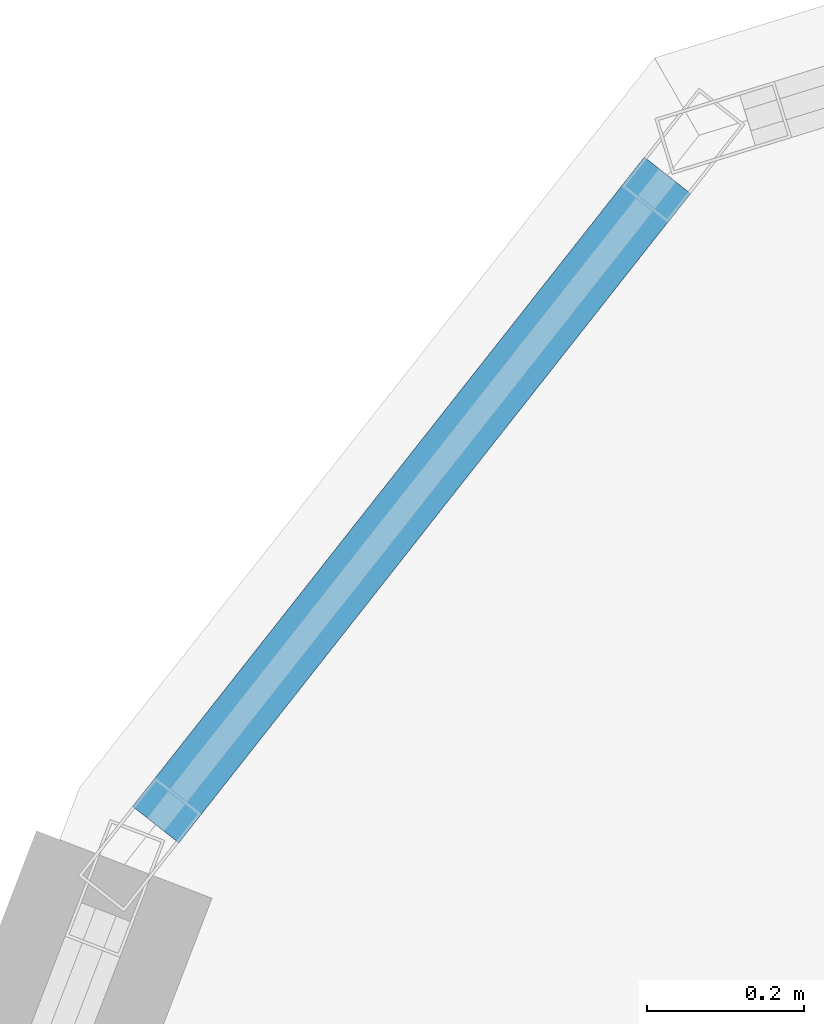
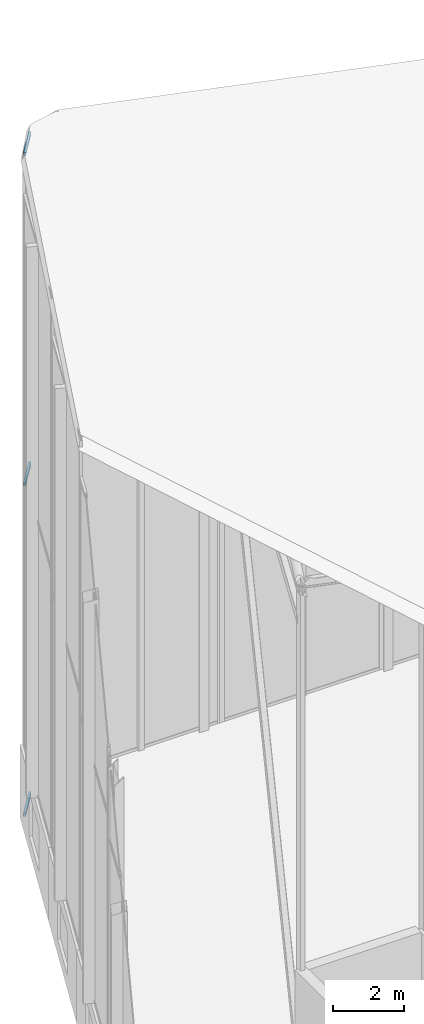
# One storey, part 39 of 74: 3 members, 1 element without a shape of its own.
"""IFC4 building model written with IfcOpenShell, lengths in metres."""

import ifcopenshell
import ifcopenshell.guid

model = None  # the IFC model being written
_history = None  # IfcOwnerHistory: only IFC2X3 demands one
_inside = {}  # id of a spatial element -> (the spatial element, [elements in it])
_under = {}  # id of a project, library or spatial element -> (it, [spatial elements below it])
_declared = {}  # id of a project -> (the project, [libraries it declares])
_typed = {}  # id of a type object -> (the type object, [elements of that type])
_made_of = {}  # id of a material, layer set ... -> (it, [elements and type objects made of it])


def new_model(schema):
    """Start an empty IFC model of exactly this schema.

    Asked for "IFC4X3", IfcOpenShell would pick the latest addendum, in which some entities
    have other attributes; the version numbers below select the first issue.
    IFC2X3 requires an IfcOwnerHistory on every rooted entity: one is made here for all.
    """
    global model, _history
    if schema == "IFC4X3":
        model = ifcopenshell.file(schema_version=(4, 3, 0, 0))
    else:
        model = ifcopenshell.file(schema=schema)
    _inside.clear()
    _under.clear()
    _declared.clear()
    _typed.clear()
    _made_of.clear()
    _history = None
    if model.schema == "IFC2X3":
        org = make("IfcOrganization", Name="unknown")
        user = make(
            "IfcPersonAndOrganization",
            ThePerson=make("IfcPerson", FamilyName="unknown"),
            TheOrganization=org,
        )
        app = make(
            "IfcApplication",
            ApplicationDeveloper=org,
            Version="unknown",
            ApplicationFullName="unknown",
            ApplicationIdentifier="unknown",
        )
        _history = make(
            "IfcOwnerHistory",
            OwningUser=user,
            OwningApplication=app,
            ChangeAction="ADDED",
            CreationDate=0,
        )
    return model


def make(cls, **values):
    """One entity of the class cls with the attributes given. An attribute that is None is left unset."""
    return model.create_entity(
        cls, **{name: value for name, value in values.items() if value is not None}
    )


def rooted(cls, **values):
    """An entity with a GlobalId (a new one), such as an element, a storey or a relation."""
    return make(cls, GlobalId=ifcopenshell.guid.new(), OwnerHistory=_history, **values)


def si_unit(unit_type, name, prefix=None):
    """IfcSIUnit, for example si_unit("LENGTHUNIT", "METRE", prefix="MILLI")."""
    return make("IfcSIUnit", UnitType=unit_type, Prefix=prefix, Name=name)


def assignment(units):
    """IfcUnitAssignment: the units of a project."""
    return None if units is None else make("IfcUnitAssignment", Units=units)


def point(xyz):
    """IfcCartesianPoint."""
    return None if xyz is None else make("IfcCartesianPoint", Coordinates=xyz)


def direction(xyz):
    """IfcDirection."""
    return None if xyz is None else make("IfcDirection", DirectionRatios=xyz)


def frame(location, z_axis=None, x_axis=None):
    """IfcAxis2Placement3D, a coordinate frame: its origin and axes. An axis left out is left unset."""
    return make(
        "IfcAxis2Placement3D",
        Location=point(location),
        Axis=direction(z_axis),
        RefDirection=direction(x_axis),
    )


def frame_2d(location, x_axis=None):
    """IfcAxis2Placement2D, a coordinate frame in the plane: its origin and x axis."""
    return make(
        "IfcAxis2Placement2D", Location=point(location), RefDirection=direction(x_axis)
    )


def origin():
    """The frame at (0, 0, 0) with its axes left unset."""
    return frame((0.0, 0.0, 0.0))


def origin_2d():
    """The frame at (0, 0) in the plane with its x axis left unset."""
    return frame_2d((0.0, 0.0))


def place(relative_to, where):
    """IfcLocalPlacement: puts the frame where relative to a parent placement (None: the world)."""
    return make(
        "IfcLocalPlacement", PlacementRelTo=relative_to, RelativePlacement=where
    )


def context(
    kind, dimensions, precision=None, world=None, true_north=None, identifier=None
):
    """IfcGeometricRepresentationContext, for example the 3D "Model" context."""
    return make(
        "IfcGeometricRepresentationContext",
        ContextIdentifier=identifier,
        ContextType=kind,
        CoordinateSpaceDimension=dimensions,
        Precision=precision,
        WorldCoordinateSystem=world,
        TrueNorth=true_north,
    )


def subcontext(parent, identifier, kind, view, scale=None):
    """IfcGeometricRepresentationSubContext, for example "Body" below "Model"."""
    return make(
        "IfcGeometricRepresentationSubContext",
        ContextIdentifier=identifier,
        ContextType=kind,
        ParentContext=parent,
        TargetScale=scale,
        TargetView=view,
    )


def project(units=None, contexts=None):
    """IfcProject with its units and contexts."""
    return rooted(
        "IfcProject",
        Name="project",
        RepresentationContexts=contexts,
        UnitsInContext=assignment(units),
    )


def spatial(cls, under=None, at=None, **own):
    """A site, building, storey or space (cls), placed at a placement, below another one or the project."""
    s = rooted(cls, ObjectPlacement=at, **own)
    if under is not None:
        _under.setdefault(under.id(), (under, []))[1].append(s)
    return s


def profile(cls, at=None, kind="AREA", **sizes):
    """A parametric profile (cls). Its sizes go by their IFC names, for example OverallWidth=200.0."""
    return make(cls, ProfileType=kind, Position=at, **sizes)


def hollow_rectangle(**sizes):
    """IfcRectangleHollowProfileDef."""
    return profile("IfcRectangleHollowProfileDef", **sizes)


def extrude(swept, where, along, depth):
    """IfcExtrudedAreaSolid: the profile swept, set in the frame where, extruded along a direction by depth."""
    return make(
        "IfcExtrudedAreaSolid",
        SweptArea=swept,
        Position=where,
        ExtrudedDirection=direction(along),
        Depth=depth,
    )


def shape(context_of_items, identifier, shape_type, items):
    """IfcShapeRepresentation: the items that make up one representation, for example the "Body"."""
    return make(
        "IfcShapeRepresentation",
        ContextOfItems=context_of_items,
        RepresentationIdentifier=identifier,
        RepresentationType=shape_type,
        Items=items,
    )


def material(Name=None, Category=None):
    """IfcMaterial."""
    return make("IfcMaterial", Name=Name, Category=Category)


def layer(
    of_material, thickness, ventilated=None, Name=None, Category=None, Priority=None
):
    """IfcMaterialLayer: one layer of a wall or slab, of a material (None: an air gap)."""
    return make(
        "IfcMaterialLayer",
        Material=of_material,
        LayerThickness=thickness,
        IsVentilated=ventilated,
        Name=Name,
        Category=Category,
        Priority=Priority,
    )


def layer_set(layers, Name=None):
    """IfcMaterialLayerSet."""
    return make("IfcMaterialLayerSet", MaterialLayers=layers, LayerSetName=Name)


def material_profile(
    of_material, cross_section, Name=None, Category=None, Priority=None
):
    """IfcMaterialProfile: a cross section and its material."""
    return make(
        "IfcMaterialProfile",
        Name=Name,
        Material=of_material,
        Profile=cross_section,
        Priority=Priority,
        Category=Category,
    )


def profile_set(profiles, Name=None, composite=None):
    """IfcMaterialProfileSet."""
    return make(
        "IfcMaterialProfileSet",
        Name=Name,
        MaterialProfiles=profiles,
        CompositeProfile=composite,
    )


def made_of(thing, what):
    """Note that an element or type object is made of a material, layer set ...; save() writes the relation."""
    if what is not None:
        _made_of.setdefault(what.id(), (what, []))[1].append(thing)
    return thing


def type_object(cls, material=None, **own):
    """A type object (cls), such as IfcWallType, which elements share."""
    return made_of(rooted(cls, **own), material)


def element(
    cls,
    number,
    at=None,
    inside=None,
    cuts=None,
    type_object=None,
    material=None,
    context=None,
    identifier="Body",
    shape_type=None,
    held_by="IfcProductDefinitionShape",
    body=None,
    shapes=None,
    **own,
):
    """One element of the class cls, such as IfcWall. Its Tag is "e" and its number.

    at: its placement. inside: the storey or other place that contains it. cuts: it is an
    opening in that element (IfcRelVoidsElement). A single representation is given by context,
    identifier, shape_type and body (its items); several are given by shapes. held_by: the class
    of the entity that holds the representations. save() writes the other relations.
    """
    e = rooted(cls, Tag="e%d" % number, ObjectPlacement=at, **own)
    if body is not None:
        shapes = [shape(context, identifier, shape_type, body)]
    if shapes is not None:
        e.Representation = make(held_by, Representations=shapes)
    if inside is not None:
        _inside.setdefault(inside.id(), (inside, []))[1].append(e)
    if cuts is not None:
        rooted(
            "IfcRelVoidsElement", RelatingBuildingElement=cuts, RelatedOpeningElement=e
        )
    if type_object is not None:
        _typed.setdefault(type_object.id(), (type_object, []))[1].append(e)
    return made_of(e, material)


def aggregate(whole, parts):
    """IfcRelAggregates: a whole, such as a stair, and the parts it consists of."""
    return rooted("IfcRelAggregates", RelatingObject=whole, RelatedObjects=parts)


def save(model, path):
    """Write the relations noted so far, then the file.

    IfcRelAggregates (storeys below a building ...), IfcRelContainedInSpatialStructure (elements
    in a storey), IfcRelDefinesByType, IfcRelAssociatesMaterial and IfcRelDeclares: one each for
    every whole, place, type object, material and project.
    """
    for whole, parts in _under.values():
        aggregate(whole, parts)
    for where, things in _inside.values():
        rooted(
            "IfcRelContainedInSpatialStructure",
            RelatedElements=things,
            RelatingStructure=where,
        )
    for kind, things in _typed.values():
        rooted("IfcRelDefinesByType", RelatedObjects=things, RelatingType=kind)
    for what, things in _made_of.values():
        rooted("IfcRelAssociatesMaterial", RelatedObjects=things, RelatingMaterial=what)
    for by, libraries in _declared.values():
        rooted("IfcRelDeclares", RelatingContext=by, RelatedDefinitions=libraries)
    model.write(path)


model = new_model("IFC4")

# Units and contexts
model_context = context("Model", 3, precision=1e-05, world=origin(), true_north=direction((0.0, 1.0)))
body_context = subcontext(model_context, "Body", "Model", "MODEL_VIEW")
ifc_project = project(units=[si_unit("LENGTHUNIT", "METRE"), si_unit("AREAUNIT", "SQUARE_METRE"), si_unit("VOLUMEUNIT", "CUBIC_METRE"), si_unit("PLANEANGLEUNIT", "RADIAN"), si_unit("MASSUNIT", "GRAM", prefix="KILO")], contexts=[model_context])

# Site, building, storey
site_placement = place(None, origin())
site = spatial("IfcSite", under=ifc_project, at=site_placement, CompositionType="ELEMENT")
building_placement = place(site_placement, origin())
building = spatial("IfcBuilding", under=site, at=building_placement, Name="Keshet Zoharim Tower", CompositionType="ELEMENT")
storey_placement = place(building_placement, frame((0.0, 0.0, 320.0)))
storey = spatial("IfcBuildingStorey", under=building, at=storey_placement, Name="RF", CompositionType="ELEMENT", Elevation=320.0)

# Curtain wall, members
ifc_material = material(Name="Aluminium 6063-T6", Category="aluminium")
ifc_layer = layer(ifc_material, 0.260009765625)
ifc_layer_set = layer_set([ifc_layer], Name="Aluminium 6063-T6")
curtain_wall_type = type_object("IfcCurtainWallType", Name="CW-SYS-06", PredefinedType="NOTDEFINED", material=ifc_layer_set)
curtain_wall_placement = place(storey_placement, origin())
curtain_wall = element("IfcCurtainWall", 1, at=curtain_wall_placement, inside=storey, type_object=curtain_wall_type, Name="Slanted Crown Curtain Wall 09", PredefinedType="NOTDEFINED")
ifc_material_profile = material_profile(ifc_material, hollow_rectangle(XDim=0.074951171875, YDim=0.1201171875, WallThickness=0.00390625, at=origin_2d()), Name="TRN-75x120")
ifc_profile_set = profile_set([ifc_material_profile], Name="Aluminium 6063-T6")
member_type = type_object("IfcMemberType", Name="CWT-T12", PredefinedType="USERDEFINED", material=ifc_profile_set)
member_1_placement = place(storey_placement, frame((14.54736328125, 52.6689453125, 0.032470703125), z_axis=(0.618924117416, 0.785450785779, 0.0), x_axis=(-0.785450785779, 0.618924117416, 0.0)))
member_1 = element("IfcMember", 2, at=member_1_placement, type_object=member_type, Name="CW-06 transom 1.1", ObjectType="TRANSOM", PredefinedType="USERDEFINED", context=body_context, shape_type="SweptSolid", body=[
    extrude(hollow_rectangle(XDim=0.074951171875, YDim=0.1201171875, WallThickness=0.00390625, at=origin_2d()), origin(), (0.0, 0.0, 1.0), 1.0556640625),
])
member_2_placement = place(storey_placement, frame((14.54736328125, 52.6689453125, 11.39404296875), z_axis=(0.618924117416, 0.785450785779, 0.0), x_axis=(-0.785450785779, 0.618924117416, 0.0)))
member_2 = element("IfcMember", 3, at=member_2_placement, type_object=member_type, Name="CW-06 transom 1.2", ObjectType="TRANSOM", PredefinedType="USERDEFINED", context=body_context, shape_type="SweptSolid", body=[
    extrude(hollow_rectangle(XDim=0.074951171875, YDim=0.1201171875, WallThickness=0.00390625, at=origin_2d()), origin(), (0.0, 0.0, 1.0), 1.0556640625),
])
member_3_placement = place(storey_placement, frame((14.54736328125, 52.6689453125, 22.755615234375), z_axis=(0.618924117416, 0.785450785779, 0.0), x_axis=(-0.785450785779, 0.618924117416, 0.0)))
member_3 = element("IfcMember", 4, at=member_3_placement, type_object=member_type, Name="CW-06 transom 1.3", ObjectType="TRANSOM", PredefinedType="USERDEFINED", context=body_context, shape_type="SweptSolid", body=[
    extrude(hollow_rectangle(XDim=0.074951171875, YDim=0.1201171875, WallThickness=0.00390625, at=origin_2d()), origin(), (0.0, 0.0, 1.0), 1.0556640625),
])
aggregate(curtain_wall, [member_1, member_2, member_3])

save(model, "model.ifc")
